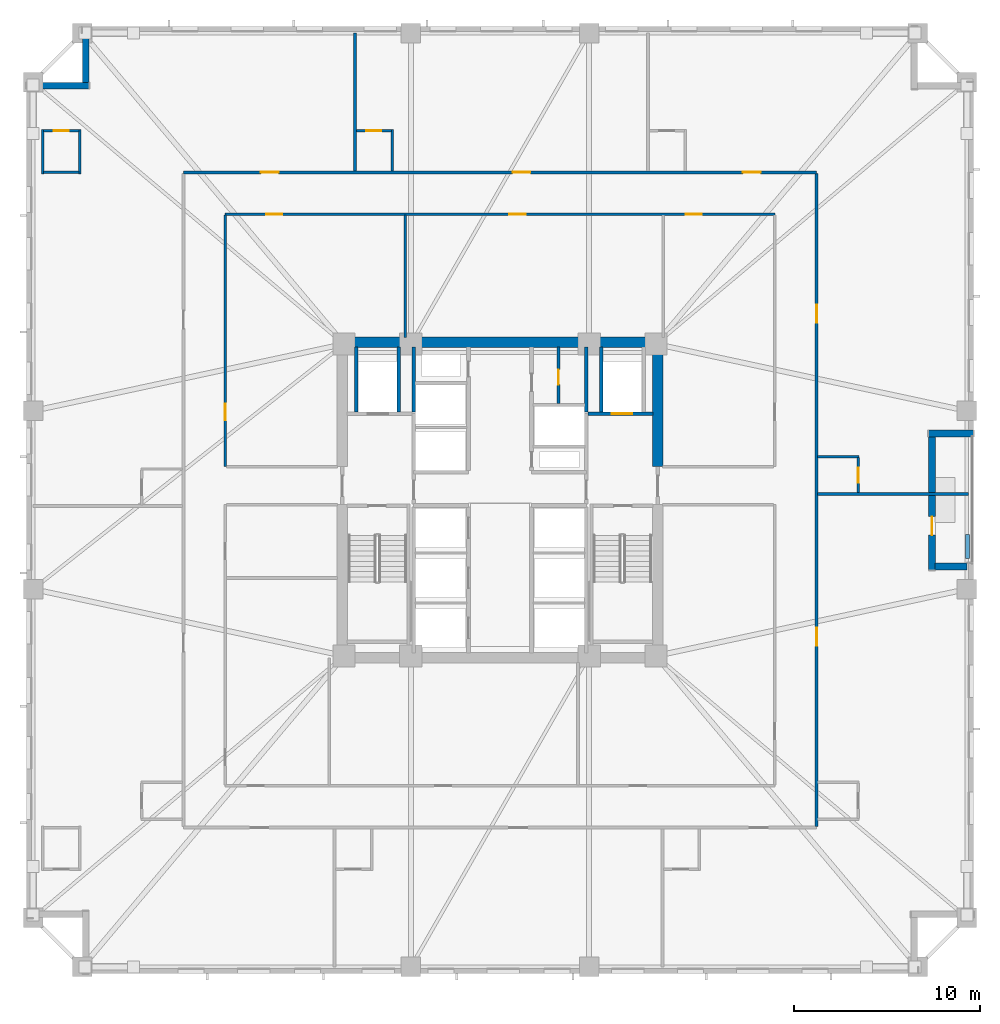
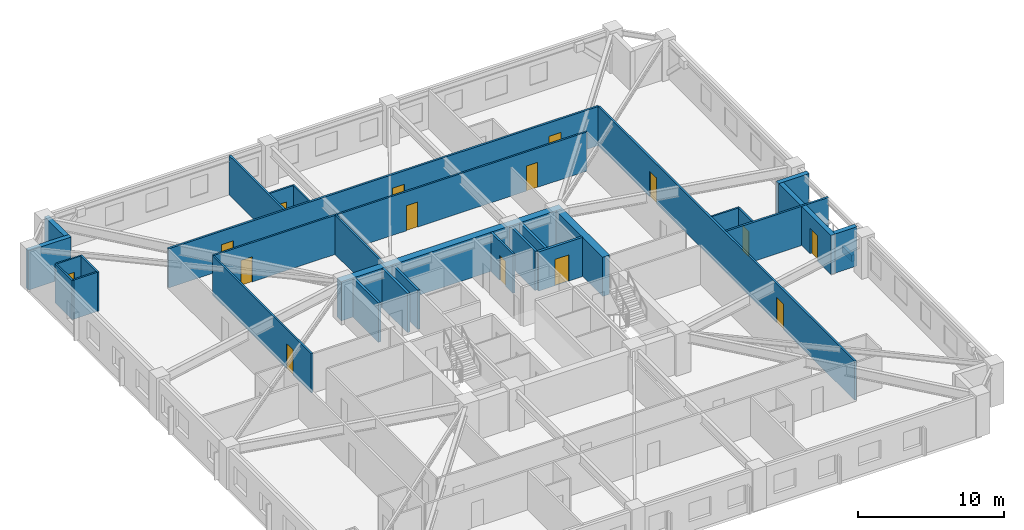
# One storey, part 5 of 11: 30 walls, 15 doors, 15 openings.
"""IFC4 building model written with IfcOpenShell, lengths in metres."""

import ifcopenshell
import ifcopenshell.guid

model = None  # the IFC model being written
_history = None  # IfcOwnerHistory: only IFC2X3 demands one
_inside = {}  # id of a spatial element -> (the spatial element, [elements in it])
_under = {}  # id of a project, library or spatial element -> (it, [spatial elements below it])
_declared = {}  # id of a project -> (the project, [libraries it declares])
_typed = {}  # id of a type object -> (the type object, [elements of that type])
_made_of = {}  # id of a material, layer set ... -> (it, [elements and type objects made of it])


def new_model(schema):
    """Start an empty IFC model of exactly this schema.

    Asked for "IFC4X3", IfcOpenShell would pick the latest addendum, in which some entities
    have other attributes; the version numbers below select the first issue.
    IFC2X3 requires an IfcOwnerHistory on every rooted entity: one is made here for all.
    """
    global model, _history
    if schema == "IFC4X3":
        model = ifcopenshell.file(schema_version=(4, 3, 0, 0))
    else:
        model = ifcopenshell.file(schema=schema)
    _inside.clear()
    _under.clear()
    _declared.clear()
    _typed.clear()
    _made_of.clear()
    _history = None
    if model.schema == "IFC2X3":
        org = make("IfcOrganization", Name="unknown")
        user = make(
            "IfcPersonAndOrganization",
            ThePerson=make("IfcPerson", FamilyName="unknown"),
            TheOrganization=org,
        )
        app = make(
            "IfcApplication",
            ApplicationDeveloper=org,
            Version="unknown",
            ApplicationFullName="unknown",
            ApplicationIdentifier="unknown",
        )
        _history = make(
            "IfcOwnerHistory",
            OwningUser=user,
            OwningApplication=app,
            ChangeAction="ADDED",
            CreationDate=0,
        )
    return model


def make(cls, **values):
    """One entity of the class cls with the attributes given. An attribute that is None is left unset."""
    return model.create_entity(
        cls, **{name: value for name, value in values.items() if value is not None}
    )


def rooted(cls, **values):
    """An entity with a GlobalId (a new one), such as an element, a storey or a relation."""
    return make(cls, GlobalId=ifcopenshell.guid.new(), OwnerHistory=_history, **values)


def si_unit(unit_type, name, prefix=None):
    """IfcSIUnit, for example si_unit("LENGTHUNIT", "METRE", prefix="MILLI")."""
    return make("IfcSIUnit", UnitType=unit_type, Prefix=prefix, Name=name)


def assignment(units):
    """IfcUnitAssignment: the units of a project."""
    return None if units is None else make("IfcUnitAssignment", Units=units)


def point(xyz):
    """IfcCartesianPoint."""
    return None if xyz is None else make("IfcCartesianPoint", Coordinates=xyz)


def direction(xyz):
    """IfcDirection."""
    return None if xyz is None else make("IfcDirection", DirectionRatios=xyz)


def frame(location, z_axis=None, x_axis=None):
    """IfcAxis2Placement3D, a coordinate frame: its origin and axes. An axis left out is left unset."""
    return make(
        "IfcAxis2Placement3D",
        Location=point(location),
        Axis=direction(z_axis),
        RefDirection=direction(x_axis),
    )


def frame_2d(location, x_axis=None):
    """IfcAxis2Placement2D, a coordinate frame in the plane: its origin and x axis."""
    return make(
        "IfcAxis2Placement2D", Location=point(location), RefDirection=direction(x_axis)
    )


def origin():
    """The frame at (0, 0, 0) with its axes left unset."""
    return frame((0.0, 0.0, 0.0))


def place(relative_to, where):
    """IfcLocalPlacement: puts the frame where relative to a parent placement (None: the world)."""
    return make(
        "IfcLocalPlacement", PlacementRelTo=relative_to, RelativePlacement=where
    )


def context(
    kind, dimensions, precision=None, world=None, true_north=None, identifier=None
):
    """IfcGeometricRepresentationContext, for example the 3D "Model" context."""
    return make(
        "IfcGeometricRepresentationContext",
        ContextIdentifier=identifier,
        ContextType=kind,
        CoordinateSpaceDimension=dimensions,
        Precision=precision,
        WorldCoordinateSystem=world,
        TrueNorth=true_north,
    )


def subcontext(parent, identifier, kind, view, scale=None):
    """IfcGeometricRepresentationSubContext, for example "Body" below "Model"."""
    return make(
        "IfcGeometricRepresentationSubContext",
        ContextIdentifier=identifier,
        ContextType=kind,
        ParentContext=parent,
        TargetScale=scale,
        TargetView=view,
    )


def project(units=None, contexts=None):
    """IfcProject with its units and contexts."""
    return rooted(
        "IfcProject",
        Name="project",
        RepresentationContexts=contexts,
        UnitsInContext=assignment(units),
    )


def spatial(cls, under=None, at=None, **own):
    """A site, building, storey or space (cls), placed at a placement, below another one or the project."""
    s = rooted(cls, ObjectPlacement=at, **own)
    if under is not None:
        _under.setdefault(under.id(), (under, []))[1].append(s)
    return s


def profile(cls, at=None, kind="AREA", **sizes):
    """A parametric profile (cls). Its sizes go by their IFC names, for example OverallWidth=200.0."""
    return make(cls, ProfileType=kind, Position=at, **sizes)


def rectangle(**sizes):
    """IfcRectangleProfileDef."""
    return profile("IfcRectangleProfileDef", **sizes)


def extrude(swept, where, along, depth):
    """IfcExtrudedAreaSolid: the profile swept, set in the frame where, extruded along a direction by depth."""
    return make(
        "IfcExtrudedAreaSolid",
        SweptArea=swept,
        Position=where,
        ExtrudedDirection=direction(along),
        Depth=depth,
    )


def shape(context_of_items, identifier, shape_type, items):
    """IfcShapeRepresentation: the items that make up one representation, for example the "Body"."""
    return make(
        "IfcShapeRepresentation",
        ContextOfItems=context_of_items,
        RepresentationIdentifier=identifier,
        RepresentationType=shape_type,
        Items=items,
    )


def material(Name=None, Category=None):
    """IfcMaterial."""
    return make("IfcMaterial", Name=Name, Category=Category)


def layer(
    of_material, thickness, ventilated=None, Name=None, Category=None, Priority=None
):
    """IfcMaterialLayer: one layer of a wall or slab, of a material (None: an air gap)."""
    return make(
        "IfcMaterialLayer",
        Material=of_material,
        LayerThickness=thickness,
        IsVentilated=ventilated,
        Name=Name,
        Category=Category,
        Priority=Priority,
    )


def layer_set(layers, Name=None):
    """IfcMaterialLayerSet."""
    return make("IfcMaterialLayerSet", MaterialLayers=layers, LayerSetName=Name)


def made_of(thing, what):
    """Note that an element or type object is made of a material, layer set ...; save() writes the relation."""
    if what is not None:
        _made_of.setdefault(what.id(), (what, []))[1].append(thing)
    return thing


def type_object(cls, material=None, **own):
    """A type object (cls), such as IfcWallType, which elements share."""
    return made_of(rooted(cls, **own), material)


def element(
    cls,
    number,
    at=None,
    inside=None,
    cuts=None,
    type_object=None,
    material=None,
    context=None,
    identifier="Body",
    shape_type=None,
    held_by="IfcProductDefinitionShape",
    body=None,
    shapes=None,
    **own,
):
    """One element of the class cls, such as IfcWall. Its Tag is "e" and its number.

    at: its placement. inside: the storey or other place that contains it. cuts: it is an
    opening in that element (IfcRelVoidsElement). A single representation is given by context,
    identifier, shape_type and body (its items); several are given by shapes. held_by: the class
    of the entity that holds the representations. save() writes the other relations.
    """
    e = rooted(cls, Tag="e%d" % number, ObjectPlacement=at, **own)
    if body is not None:
        shapes = [shape(context, identifier, shape_type, body)]
    if shapes is not None:
        e.Representation = make(held_by, Representations=shapes)
    if inside is not None:
        _inside.setdefault(inside.id(), (inside, []))[1].append(e)
    if cuts is not None:
        rooted(
            "IfcRelVoidsElement", RelatingBuildingElement=cuts, RelatedOpeningElement=e
        )
    if type_object is not None:
        _typed.setdefault(type_object.id(), (type_object, []))[1].append(e)
    return made_of(e, material)


def fill(opening, filler):
    """IfcRelFillsElement: the door or window that sits in an opening."""
    return rooted(
        "IfcRelFillsElement",
        RelatingOpeningElement=opening,
        RelatedBuildingElement=filler,
    )


def aggregate(whole, parts):
    """IfcRelAggregates: a whole, such as a stair, and the parts it consists of."""
    return rooted("IfcRelAggregates", RelatingObject=whole, RelatedObjects=parts)


def save(model, path):
    """Write the relations noted so far, then the file.

    IfcRelAggregates (storeys below a building ...), IfcRelContainedInSpatialStructure (elements
    in a storey), IfcRelDefinesByType, IfcRelAssociatesMaterial and IfcRelDeclares: one each for
    every whole, place, type object, material and project.
    """
    for whole, parts in _under.values():
        aggregate(whole, parts)
    for where, things in _inside.values():
        rooted(
            "IfcRelContainedInSpatialStructure",
            RelatedElements=things,
            RelatingStructure=where,
        )
    for kind, things in _typed.values():
        rooted("IfcRelDefinesByType", RelatedObjects=things, RelatingType=kind)
    for what, things in _made_of.values():
        rooted("IfcRelAssociatesMaterial", RelatedObjects=things, RelatingMaterial=what)
    for by, libraries in _declared.values():
        rooted("IfcRelDeclares", RelatingContext=by, RelatedDefinitions=libraries)
    model.write(path)


model = new_model("IFC4")

# Units and contexts
model_context = context("Model", 3, precision=1e-05, world=origin(), true_north=direction((0.0, 1.0)))
body_context = subcontext(model_context, "Body", "Model", "MODEL_VIEW")
ifc_project = project(units=[si_unit("LENGTHUNIT", "METRE"), si_unit("AREAUNIT", "SQUARE_METRE"), si_unit("VOLUMEUNIT", "CUBIC_METRE"), si_unit("PLANEANGLEUNIT", "RADIAN"), si_unit("MASSUNIT", "GRAM", prefix="KILO")], contexts=[model_context])

# Site, building, storey
site_placement = place(None, origin())
site = spatial("IfcSite", under=ifc_project, at=site_placement, CompositionType="ELEMENT")
building_placement = place(site_placement, origin())
building = spatial("IfcBuilding", under=site, at=building_placement, Name="Cairnveth Concourse Tower", CompositionType="ELEMENT")
storey_placement = place(building_placement, frame((0.0, 0.0, 69.0)))
storey = spatial("IfcBuildingStorey", under=building, at=storey_placement, Name="L18", CompositionType="ELEMENT", Elevation=69.0)

# Wall, opening, door
ifc_material_1 = material(Name="Gypsum Plasterboard Partition", Category="gypsum")
ifc_layer_1 = layer(ifc_material_1, 0.159912109375)
ifc_layer_set_1 = layer_set([ifc_layer_1], Name="Gypsum Plasterboard Partition")
wall_type_1 = type_object("IfcWallType", Name="ACOUSTIC PARTY WALL 180", PredefinedType="PARTITIONING", material=ifc_layer_set_1)
wall_1_placement = place(storey_placement, frame((55.14990234375, 44.195068359375, 0.0), z_axis=(0.0, 0.0, 1.0), x_axis=(0.0, 1.0, 0.0)))
wall_1 = element("IfcWall", 1, at=wall_1_placement, inside=storey, type_object=wall_type_1, Name="Interior Wall IW-L18-037", PredefinedType="PARTITIONING", context=body_context, shape_type="SweptSolid", body=[
    extrude(rectangle(XDim=3.044921875, YDim=0.159912109375, at=frame_2d((1.5224609375, 0.0))), origin(), (0.0, 0.0, 1.0), 3.280029296875),
])
opening_1_placement = place(wall_1_placement, frame((1.02490234375, 0.0, 0.0)))
opening_1 = element("IfcOpeningElement", 2, at=opening_1_placement, cuts=wall_1, Name="Opening ID23", PredefinedType="OPENING", context=body_context, shape_type="SweptSolid", body=[
    extrude(rectangle(XDim=0.800048828125, YDim=2.10009765625, at=frame_2d((0.39990234375, 1.050048828125))), frame((0.0, 0.08984375, 0.0), z_axis=(0.0, -1.0, 0.0), x_axis=(1.0, 0.0, 0.0)), (0.0, 0.0, 1.0), 0.179931640625),
])
ifc_material_2 = material(Name="Steel Grade 350", Category="steel")
door_type_1 = type_object("IfcDoorType", Name="CORE SERVICE DOOR 800X2100", OperationType="NOTDEFINED", PredefinedType="DOOR", material=ifc_material_2)
door_1_placement = place(opening_1_placement, origin())
door_1 = element("IfcDoor", 3, at=door_1_placement, inside=storey, type_object=door_type_1, Name="NE Linen Closet Door L18", OperationType="SINGLE_SWING_LEFT", OverallHeight=2.10009765625, OverallWidth=0.800048828125, PredefinedType="DOOR", context=body_context, shape_type="SweptSolid", body=[
    extrude(rectangle(XDim=0.800048828125, YDim=2.10009765625, at=frame_2d((0.39990234375, 1.050048828125))), frame((0.0, 0.02490234375, 0.0), z_axis=(0.0, -1.0, 0.0), x_axis=(1.0, 0.0, 0.0)), (0.0, 0.0, 1.0), 0.050048828125),
])
fill(opening_1, door_1)

# Wall, openings, doors
wall_2_placement = place(storey_placement, frame((34.949951171875, 56.64990234375, 0.0), z_axis=(0.0, 0.0, 1.0), x_axis=(1.0, 0.0, 0.0)))
wall_2 = element("IfcWall", 4, at=wall_2_placement, inside=storey, type_object=wall_type_1, Name="Interior Wall IW-L18-039", PredefinedType="PARTITIONING", context=body_context, shape_type="SweptSolid", body=[
    extrude(rectangle(XDim=34.10009765625, YDim=0.159912109375, at=frame_2d((17.050048828125, 0.0))), origin(), (0.0, 0.0, 1.0), 3.280029296875),
])
opening_2_placement = place(wall_2_placement, frame((4.166259765625, 0.0, 0.0)))
opening_2 = element("IfcOpeningElement", 5, at=opening_2_placement, cuts=wall_2, Name="Opening ID09", PredefinedType="OPENING", context=body_context, shape_type="SweptSolid", body=[
    extrude(rectangle(XDim=0.9599609375, YDim=2.14990234375, at=frame_2d((0.47998046875, 1.074951171875))), frame((0.0, 0.08984375, 0.0), z_axis=(0.0, -1.0, 0.0), x_axis=(1.0, 0.0, 0.0)), (0.0, 0.0, 1.0), 0.179931640625),
])
opening_3_placement = place(wall_2_placement, frame((17.72998046875, 0.0, 0.0)))
opening_3 = element("IfcOpeningElement", 6, at=opening_3_placement, cuts=wall_2, Name="Opening ID09", PredefinedType="OPENING", context=body_context, shape_type="SweptSolid", body=[
    extrude(rectangle(XDim=0.9599609375, YDim=2.14990234375, at=frame_2d((0.47998046875, 1.074951171875))), frame((0.0, 0.08984375, 0.0), z_axis=(0.0, -1.0, 0.0), x_axis=(1.0, 0.0, 0.0)), (0.0, 0.0, 1.0), 0.179931640625),
])
opening_4_placement = place(wall_2_placement, frame((30.1337890625, 0.0, 0.0)))
opening_4 = element("IfcOpeningElement", 7, at=opening_4_placement, cuts=wall_2, Name="Opening ID09", PredefinedType="OPENING", context=body_context, shape_type="SweptSolid", body=[
    extrude(rectangle(XDim=0.9599609375, YDim=2.14990234375, at=frame_2d((0.47998046875, 1.074951171875))), frame((0.0, 0.08984375, 0.0), z_axis=(0.0, -1.0, 0.0), x_axis=(1.0, 0.0, 0.0)), (0.0, 0.0, 1.0), 0.179931640625),
])
ifc_material_3 = material(Name="Solid Core Hardwood Timber Leaf", Category="wood")
door_type_2 = type_object("IfcDoorType", Name="HOTEL ENTRANCE DOOR 960X2150", OperationType="NOTDEFINED", PredefinedType="DOOR", material=ifc_material_3)
door_2_placement = place(opening_2_placement, origin())
door_2 = element("IfcDoor", 8, at=door_2_placement, inside=storey, type_object=door_type_2, Name="Hotel Room Door L18-N1", OperationType="SINGLE_SWING_RIGHT", OverallHeight=2.14990234375, OverallWidth=0.9599609375, PredefinedType="DOOR", context=body_context, shape_type="SweptSolid", body=[
    extrude(rectangle(XDim=0.9599609375, YDim=2.14990234375, at=frame_2d((0.47998046875, 1.074951171875))), frame((0.0, 0.02490234375, 0.0), z_axis=(0.0, -1.0, 0.0), x_axis=(1.0, 0.0, 0.0)), (0.0, 0.0, 1.0), 0.050048828125),
])
fill(opening_2, door_2)
door_3_placement = place(opening_3_placement, origin())
door_3 = element("IfcDoor", 9, at=door_3_placement, inside=storey, type_object=door_type_2, Name="Hotel Room Door L18-N2", OperationType="SINGLE_SWING_RIGHT", OverallHeight=2.14990234375, OverallWidth=0.9599609375, PredefinedType="DOOR", context=body_context, shape_type="SweptSolid", body=[
    extrude(rectangle(XDim=0.9599609375, YDim=2.14990234375, at=frame_2d((0.47998046875, 1.074951171875))), frame((0.0, 0.02490234375, 0.0), z_axis=(0.0, -1.0, 0.0), x_axis=(1.0, 0.0, 0.0)), (0.0, 0.0, 1.0), 0.050048828125),
])
fill(opening_3, door_3)
door_4_placement = place(opening_4_placement, origin())
door_4 = element("IfcDoor", 10, at=door_4_placement, inside=storey, type_object=door_type_2, Name="Hotel Room Door L18-N3", OperationType="SINGLE_SWING_RIGHT", OverallHeight=2.14990234375, OverallWidth=0.9599609375, PredefinedType="DOOR", context=body_context, shape_type="SweptSolid", body=[
    extrude(rectangle(XDim=0.9599609375, YDim=2.14990234375, at=frame_2d((0.47998046875, 1.074951171875))), frame((0.0, 0.02490234375, 0.0), z_axis=(0.0, -1.0, 0.0), x_axis=(1.0, 0.0, 0.0)), (0.0, 0.0, 1.0), 0.050048828125),
])
fill(opening_4, door_4)

wall_3_placement = place(storey_placement, frame((69.050048828125, 21.4150390625, 0.0), z_axis=(0.0, 0.0, 1.0), x_axis=(0.0, 1.0, 0.0)))
wall_3 = element("IfcWall", 11, at=wall_3_placement, inside=storey, type_object=wall_type_1, Name="Interior Wall IW-L18-041", PredefinedType="PARTITIONING", context=body_context, shape_type="SweptSolid", body=[
    extrude(rectangle(XDim=35.169921875, YDim=0.159912109375, at=frame_2d((17.5849609375, 0.0))), origin(), (0.0, 0.0, 1.0), 3.280029296875),
])
opening_5_placement = place(wall_3_placement, frame((9.74560546875, 0.0, 0.0)))
opening_5 = element("IfcOpeningElement", 12, at=opening_5_placement, cuts=wall_3, Name="Opening ID09", PredefinedType="OPENING", context=body_context, shape_type="SweptSolid", body=[
    extrude(rectangle(XDim=0.9599609375, YDim=2.14990234375, at=frame_2d((0.47998046875, 1.074951171875))), frame((0.0, 0.08984375, 0.0), z_axis=(0.0, -1.0, 0.0), x_axis=(1.0, 0.0, 0.0)), (0.0, 0.0, 1.0), 0.179931640625),
])
opening_6_placement = place(wall_3_placement, frame((27.145751953125, 0.0, 0.0)))
opening_6 = element("IfcOpeningElement", 13, at=opening_6_placement, cuts=wall_3, Name="Opening ID09", PredefinedType="OPENING", context=body_context, shape_type="SweptSolid", body=[
    extrude(rectangle(XDim=0.9599609375, YDim=2.14990234375, at=frame_2d((0.47998046875, 1.074951171875))), frame((0.0, 0.08984375, 0.0), z_axis=(0.0, -1.0, 0.0), x_axis=(1.0, 0.0, 0.0)), (0.0, 0.0, 1.0), 0.179931640625),
])
door_5_placement = place(opening_5_placement, origin())
door_5 = element("IfcDoor", 14, at=door_5_placement, inside=storey, type_object=door_type_2, Name="Hotel Room Door L18-E1", OperationType="SINGLE_SWING_RIGHT", OverallHeight=2.14990234375, OverallWidth=0.9599609375, PredefinedType="DOOR", context=body_context, shape_type="SweptSolid", body=[
    extrude(rectangle(XDim=0.9599609375, YDim=2.14990234375, at=frame_2d((0.47998046875, 1.074951171875))), frame((0.0, 0.02490234375, 0.0), z_axis=(0.0, -1.0, 0.0), x_axis=(1.0, 0.0, 0.0)), (0.0, 0.0, 1.0), 0.050048828125),
])
fill(opening_5, door_5)
door_6_placement = place(opening_6_placement, origin())
door_6 = element("IfcDoor", 15, at=door_6_placement, inside=storey, type_object=door_type_2, Name="Hotel Room Door L18-E2", OperationType="SINGLE_SWING_RIGHT", OverallHeight=2.14990234375, OverallWidth=0.9599609375, PredefinedType="DOOR", context=body_context, shape_type="SweptSolid", body=[
    extrude(rectangle(XDim=0.9599609375, YDim=2.14990234375, at=frame_2d((0.47998046875, 1.074951171875))), frame((0.0, 0.02490234375, 0.0), z_axis=(0.0, -1.0, 0.0), x_axis=(1.0, 0.0, 0.0)), (0.0, 0.0, 1.0), 0.050048828125),
])
fill(opening_6, door_6)

# Walls
wall_4_placement = place(storey_placement, frame((44.1923828125, 56.715087890625, 0.0), z_axis=(0.0, 0.0, 1.0), x_axis=(0.0, 1.0, 0.0)))
element("IfcWall", 16, at=wall_4_placement, inside=storey, type_object=wall_type_1, Name="Interior Wall IW-L18-071", PredefinedType="PARTITIONING", context=body_context, shape_type="SweptSolid", body=[
    extrude(rectangle(XDim=7.43994140625, YDim=0.159912109375, at=frame_2d((3.719970703125, 0.0))), origin(), (0.0, 0.0, 1.0), 3.280029296875),
])
wall_5_placement = place(storey_placement, frame((69.114990234375, 39.33154296875, 0.0), z_axis=(0.0, 0.0, 1.0), x_axis=(1.0, 0.0, 0.0)))
element("IfcWall", 17, at=wall_5_placement, inside=storey, type_object=wall_type_1, Name="Interior Wall IW-L18-086", PredefinedType="PARTITIONING", context=body_context, shape_type="SweptSolid", body=[
    extrude(rectangle(XDim=8.114990234375, YDim=0.159912109375, at=frame_2d((4.0576171875, 0.0))), origin(), (0.0, 0.0, 1.0), 3.280029296875),
])
ifc_material_4 = material(Name="Concrete N80 (80 MPa)", Category="concrete")
ifc_layer_2 = layer(ifc_material_4, 0.550048828125)
ifc_layer_set_2 = layer_set([ifc_layer_2], Name="Concrete N80 (80 MPa)")
wall_type_2 = type_object("IfcWallType", Name="CORE SHEAR WALL 550", PredefinedType="SHEAR", material=ifc_layer_set_2)
wall_6_placement = place(storey_placement, frame((43.22509765625, 47.5, 0.0), z_axis=(0.0, 0.0, 1.0), x_axis=(1.0, 0.0, 0.0)))
element("IfcWall", 18, at=wall_6_placement, inside=storey, type_object=wall_type_2, Name="Core North Shear Wall L18", PredefinedType="SHEAR", context=body_context, shape_type="SweptSolid", body=[
    extrude(rectangle(XDim=17.5498046875, YDim=0.550048828125, at=frame_2d((8.77490234375, 0.0))), origin(), (0.0, 0.0, 1.0), 3.280029296875),
])
wall_7_placement = place(storey_placement, frame((60.5, 40.800048828125, 0.0), z_axis=(0.0, 0.0, 1.0), x_axis=(0.0, 1.0, 0.0)))
element("IfcWall", 19, at=wall_7_placement, inside=storey, type_object=wall_type_2, Name="Core East Shear Wall N L18", PredefinedType="SHEAR", context=body_context, shape_type="SweptSolid", body=[
    extrude(rectangle(XDim=6.43505859375, YDim=0.550048828125, at=frame_2d((3.217529296875, 0.0))), origin(), (0.0, 0.0, 1.0), 3.280029296875),
])
ifc_material_5 = material(Name="Concrete N50 (50 MPa)", Category="concrete")
ifc_layer_3 = layer(ifc_material_5, 0.179931640625)
ifc_layer_set_3 = layer_set([ifc_layer_3], Name="Concrete N50 (50 MPa)")
wall_type_3 = type_object("IfcWallType", Name="FIRE SHAFT WALL 180", PredefinedType="SOLIDWALL", material=ifc_layer_set_3)
for number, where, z_axis, x_axis, name in (
    (20, (47.35009765625, 43.735107421875, 0.0), (0.0, 0.0, 1.0), (0.0, 1.0, 0.0), "Interior Wall IW-L18-031"),
    (21, (56.64990234375, 43.735107421875, 0.0), (0.0, 0.0, 1.0), (0.0, 1.0, 0.0), "Interior Wall IW-L18-034"),
):
    element("IfcWall", number, at=place(storey_placement, frame(where, z_axis=z_axis, x_axis=x_axis)), inside=storey, type_object=wall_type_3, Name=name, PredefinedType="SOLIDWALL", context=body_context, shape_type="SweptSolid", body=[
        extrude(rectangle(XDim=3.5048828125, YDim=0.179931640625, at=frame_2d((1.75244140625, 0.0))), origin(), (0.0, 0.0, 1.0), 3.280029296875),
    ])
ifc_layer_4 = layer(ifc_material_5, 0.199951171875)
ifc_layer_set_4 = layer_set([ifc_layer_4], Name="Concrete N50 (50 MPa)")
wall_type_4 = type_object("IfcWallType", Name="FIRE SHAFT WALL 200", PredefinedType="SOLIDWALL", material=ifc_layer_set_4)
for number, where, z_axis, x_axis, name in (
    (22, (46.550048828125, 43.735107421875, 0.0), (0.0, 0.0, 1.0), (0.0, 1.0, 0.0), "Interior Wall IW-L18-018"),
    (23, (44.25, 43.735107421875, 0.0), (0.0, 0.0, 1.0), (0.0, 1.0, 0.0), "Interior Wall IW-L18-019"),
):
    element("IfcWall", number, at=place(storey_placement, frame(where, z_axis=z_axis, x_axis=x_axis)), inside=storey, type_object=wall_type_4, Name=name, PredefinedType="SOLIDWALL", context=body_context, shape_type="SweptSolid", body=[
        extrude(rectangle(XDim=3.5048828125, YDim=0.199951171875, at=frame_2d((1.75244140625, 0.0))), origin(), (0.0, 0.0, 1.0), 3.280029296875),
    ])

# Wall, opening, door
wall_8_placement = place(storey_placement, frame((56.735107421875, 43.64990234375, 0.0), z_axis=(0.0, 0.0, 1.0), x_axis=(1.0, 0.0, 0.0)))
wall_8 = element("IfcWall", 24, at=wall_8_placement, inside=storey, type_object=wall_type_4, Name="Interior Wall IW-L18-022", PredefinedType="SOLIDWALL", context=body_context, shape_type="SweptSolid", body=[
    extrude(rectangle(XDim=3.5048828125, YDim=0.199951171875, at=frame_2d((1.75244140625, 0.0))), origin(), (0.0, 0.0, 1.0), 3.280029296875),
])
opening_7_placement = place(wall_8_placement, frame((1.294921875, 0.0, 0.0)))
opening_7 = element("IfcOpeningElement", 25, at=opening_7_placement, cuts=wall_8, Name="Opening LD-1", PredefinedType="OPENING", context=body_context, shape_type="SweptSolid", body=[
    extrude(rectangle(XDim=1.10009765625, YDim=2.199951171875, at=frame_2d((0.550048828125, 1.10009765625))), frame((0.0, 0.10986328125, 0.0), z_axis=(0.0, -1.0, 0.0), x_axis=(1.0, 0.0, 0.0)), (0.0, 0.0, 1.0), 0.219970703125),
])
ifc_material_6 = material(Name="Architectural Bronze Anodised Aluminium 6063-T6", Category="aluminium")
door_type_3 = type_object("IfcDoorType", Name="LIFT LANDING DOOR 1100X2200", OperationType="SLIDING_TO_LEFT", PredefinedType="DOOR", material=ifc_material_6)
door_7_placement = place(opening_7_placement, origin())
door_7 = element("IfcDoor", 26, at=door_7_placement, inside=storey, type_object=door_type_3, Name="Lift FFL2 Landing Door L18", OperationType="SLIDING_TO_LEFT", OverallHeight=2.199951171875, OverallWidth=1.10009765625, PredefinedType="DOOR", context=body_context, shape_type="SweptSolid", body=[
    extrude(rectangle(XDim=1.10009765625, YDim=2.199951171875, at=frame_2d((0.550048828125, 1.10009765625))), frame((0.0, 0.02490234375, 0.0), z_axis=(0.0, -1.0, 0.0), x_axis=(1.0, 0.0, 0.0)), (0.0, 0.0, 1.0), 0.050048828125),
])
fill(opening_7, door_7)

# Wall
wall_9_placement = place(storey_placement, frame((57.449951171875, 43.735107421875, 0.0), z_axis=(0.0, 0.0, 1.0), x_axis=(0.0, 1.0, 0.0)))
element("IfcWall", 27, at=wall_9_placement, inside=storey, type_object=wall_type_4, Name="Interior Wall IW-L18-023", PredefinedType="SOLIDWALL", context=body_context, shape_type="SweptSolid", body=[
    extrude(rectangle(XDim=3.5048828125, YDim=0.199951171875, at=frame_2d((1.75244140625, 0.0))), origin(), (0.0, 0.0, 1.0), 3.280029296875),
])

# Wall, openings, doors
ifc_layer_5 = layer(ifc_material_1, 0.139892578125)
ifc_layer_set_5 = layer_set([ifc_layer_5], Name="Gypsum Plasterboard Partition")
wall_type_5 = type_object("IfcWallType", Name="GYPSUM STUD PARTITION 140", PredefinedType="PARTITIONING", material=ifc_layer_set_5)
wall_10_placement = place(storey_placement, frame((37.199951171875, 54.39990234375, 0.0), z_axis=(0.0, 0.0, 1.0), x_axis=(1.0, 0.0, 0.0)))
wall_10 = element("IfcWall", 28, at=wall_10_placement, inside=storey, type_object=wall_type_5, Name="Interior Wall IW-L18-043", PredefinedType="PARTITIONING", context=body_context, shape_type="SweptSolid", body=[
    extrude(rectangle(XDim=29.60009765625, YDim=0.139892578125, at=frame_2d((14.800048828125, 0.0))), origin(), (0.0, 0.0, 1.0), 3.280029296875),
])
opening_8_placement = place(wall_10_placement, frame((2.199951171875, 0.0, 0.0)))
opening_8 = element("IfcOpeningElement", 29, at=opening_8_placement, cuts=wall_10, Name="Opening ID18", PredefinedType="OPENING", context=body_context, shape_type="SweptSolid", body=[
    extrude(rectangle(XDim=0.8798828125, YDim=2.10009765625, at=frame_2d((0.43994140625, 1.050048828125))), frame((0.0, 0.079833984375, 0.0), z_axis=(0.0, -1.0, 0.0), x_axis=(1.0, 0.0, 0.0)), (0.0, 0.0, 1.0), 0.159912109375),
])
opening_9_placement = place(wall_10_placement, frame((15.300048828125, 0.0, 0.0)))
opening_9 = element("IfcOpeningElement", 30, at=opening_9_placement, cuts=wall_10, Name="Opening ID18", PredefinedType="OPENING", context=body_context, shape_type="SweptSolid", body=[
    extrude(rectangle(XDim=0.8798828125, YDim=2.10009765625, at=frame_2d((0.43994140625, 1.050048828125))), frame((0.0, 0.079833984375, 0.0), z_axis=(0.0, -1.0, 0.0), x_axis=(1.0, 0.0, 0.0)), (0.0, 0.0, 1.0), 0.159912109375),
])
opening_10_placement = place(wall_10_placement, frame((24.800048828125, 0.0, 0.0)))
opening_10 = element("IfcOpeningElement", 31, at=opening_10_placement, cuts=wall_10, Name="Opening ID18", PredefinedType="OPENING", context=body_context, shape_type="SweptSolid", body=[
    extrude(rectangle(XDim=0.8798828125, YDim=2.10009765625, at=frame_2d((0.43994140625, 1.050048828125))), frame((0.0, 0.079833984375, 0.0), z_axis=(0.0, -1.0, 0.0), x_axis=(1.0, 0.0, 0.0)), (0.0, 0.0, 1.0), 0.159912109375),
])
door_type_4 = type_object("IfcDoorType", Name="INTERIOR SINGLE DOOR 880X2100", OperationType="NOTDEFINED", PredefinedType="DOOR", material=ifc_material_3)
door_8_placement = place(opening_8_placement, origin())
door_8 = element("IfcDoor", 32, at=door_8_placement, inside=storey, type_object=door_type_4, Name="Interior Door DR-L18-017", OperationType="SINGLE_SWING_LEFT", OverallHeight=2.10009765625, OverallWidth=0.8798828125, PredefinedType="DOOR", context=body_context, shape_type="SweptSolid", body=[
    extrude(rectangle(XDim=0.8798828125, YDim=2.10009765625, at=frame_2d((0.43994140625, 1.050048828125))), frame((0.0, 0.02490234375, 0.0), z_axis=(0.0, -1.0, 0.0), x_axis=(1.0, 0.0, 0.0)), (0.0, 0.0, 1.0), 0.050048828125),
])
fill(opening_8, door_8)
door_9_placement = place(opening_9_placement, origin())
door_9 = element("IfcDoor", 33, at=door_9_placement, inside=storey, type_object=door_type_4, Name="Interior Door DR-L18-018", OperationType="SINGLE_SWING_RIGHT", OverallHeight=2.10009765625, OverallWidth=0.8798828125, PredefinedType="DOOR", context=body_context, shape_type="SweptSolid", body=[
    extrude(rectangle(XDim=0.8798828125, YDim=2.10009765625, at=frame_2d((0.43994140625, 1.050048828125))), frame((0.0, 0.02490234375, 0.0), z_axis=(0.0, -1.0, 0.0), x_axis=(1.0, 0.0, 0.0)), (0.0, 0.0, 1.0), 0.050048828125),
])
fill(opening_9, door_9)
door_10_placement = place(opening_10_placement, origin())
door_10 = element("IfcDoor", 34, at=door_10_placement, inside=storey, type_object=door_type_4, Name="Interior Door DR-L18-019", OperationType="SINGLE_SWING_LEFT", OverallHeight=2.10009765625, OverallWidth=0.8798828125, PredefinedType="DOOR", context=body_context, shape_type="SweptSolid", body=[
    extrude(rectangle(XDim=0.8798828125, YDim=2.10009765625, at=frame_2d((0.43994140625, 1.050048828125))), frame((0.0, 0.02490234375, 0.0), z_axis=(0.0, -1.0, 0.0), x_axis=(1.0, 0.0, 0.0)), (0.0, 0.0, 1.0), 0.050048828125),
])
fill(opening_10, door_10)

# Wall, opening, door
wall_11_placement = place(storey_placement, frame((37.199951171875, 40.800048828125, 0.0), z_axis=(0.0, 0.0, 1.0), x_axis=(0.0, 1.0, 0.0)))
wall_11 = element("IfcWall", 35, at=wall_11_placement, inside=storey, type_object=wall_type_5, Name="Interior Wall IW-L18-045", PredefinedType="PARTITIONING", context=body_context, shape_type="SweptSolid", body=[
    extrude(rectangle(XDim=13.544921875, YDim=0.139892578125, at=frame_2d((6.7724609375, 0.0))), origin(), (0.0, 0.0, 1.0), 3.280029296875),
])
opening_11_placement = place(wall_11_placement, frame((2.5, 0.0, 0.0)))
opening_11 = element("IfcOpeningElement", 36, at=opening_11_placement, cuts=wall_11, Name="Opening ID18", PredefinedType="OPENING", context=body_context, shape_type="SweptSolid", body=[
    extrude(rectangle(XDim=0.8798828125, YDim=2.10009765625, at=frame_2d((0.43994140625, 1.050048828125))), frame((0.0, 0.079833984375, 0.0), z_axis=(0.0, -1.0, 0.0), x_axis=(1.0, 0.0, 0.0)), (0.0, 0.0, 1.0), 0.159912109375),
])
door_11_placement = place(opening_11_placement, origin())
door_11 = element("IfcDoor", 37, at=door_11_placement, inside=storey, type_object=door_type_4, Name="Interior Door DR-L18-022", OperationType="SINGLE_SWING_RIGHT", OverallHeight=2.10009765625, OverallWidth=0.8798828125, PredefinedType="DOOR", context=body_context, shape_type="SweptSolid", body=[
    extrude(rectangle(XDim=0.8798828125, YDim=2.10009765625, at=frame_2d((0.43994140625, 1.050048828125))), frame((0.0, 0.02490234375, 0.0), z_axis=(0.0, -1.0, 0.0), x_axis=(1.0, 0.0, 0.0)), (0.0, 0.0, 1.0), 0.050048828125),
])
fill(opening_11, door_11)

# Walls
wall_12_placement = place(storey_placement, frame((46.89990234375, 47.760009765625, 0.0), z_axis=(0.0, 0.0, 1.0), x_axis=(0.0, 1.0, 0.0)))
element("IfcWall", 38, at=wall_12_placement, inside=storey, type_object=wall_type_5, Name="Interior Wall IW-L18-054", PredefinedType="PARTITIONING", context=body_context, shape_type="SweptSolid", body=[
    extrude(rectangle(XDim=6.5849609375, YDim=0.139892578125, at=frame_2d((3.29248046875, 0.0))), origin(), (0.0, 0.0, 1.0), 3.280029296875),
])
ifc_material_7 = material(Name="Dressed Melbourne Bluestone Cladding", Category="masonry")
ifc_layer_6 = layer(ifc_material_7, 0.219970703125)
ifc_layer_set_6 = layer_set([ifc_layer_6], Name="Dressed Melbourne Bluestone Cladding")
wall_type_6 = type_object("IfcWallType", Name="TERRACE PLANTER CURB WALL 220", PredefinedType="PARAPET", material=ifc_layer_set_6)
wall_13_placement = place(storey_placement, frame((77.179931640625, 35.85009765625, 0.0), z_axis=(0.0, 0.0, 1.0), x_axis=(0.0, 1.0, 0.0)))
element("IfcWall", 39, at=wall_13_placement, inside=storey, type_object=wall_type_6, Name="Exterior Wall PLNT-L18-TERR", PredefinedType="PARAPET", context=body_context, shape_type="SweptSolid", body=[
    extrude(rectangle(XDim=1.2998046875, YDim=0.219970703125, at=frame_2d((0.64990234375, 0.0))), origin(), (0.0, 0.0, 1.0), 0.550048828125),
])
ifc_layer_7 = layer(ifc_material_1, 0.1298828125)
ifc_layer_set_7 = layer_set([ifc_layer_7], Name="Gypsum Plasterboard Partition")
wall_type_7 = type_object("IfcWallType", Name="WET AREA PARTITION 140", PredefinedType="PLUMBINGWALL", material=ifc_layer_set_7)
for number, where, z_axis, x_axis, name in (
    (40, (27.3701171875, 56.570068359375, 0.0), (0.0, 0.0, 1.0), (0.0, 1.0, 0.0), "Interior Wall IW-L18-067"),
    (41, (29.3701171875, 56.570068359375, 0.0), (0.0, 0.0, 1.0), (0.0, 1.0, 0.0), "Interior Wall IW-L18-068"),
):
    element("IfcWall", number, at=place(storey_placement, frame(where, z_axis=z_axis, x_axis=x_axis)), inside=storey, type_object=wall_type_7, Name=name, PredefinedType="PLUMBINGWALL", context=body_context, shape_type="SweptSolid", body=[
        extrude(rectangle(XDim=2.3798828125, YDim=0.1298828125, at=frame_2d((1.18994140625, 0.0))), origin(), (0.0, 0.0, 1.0), 3.280029296875),
    ])

# Wall, opening, door
wall_14_placement = place(storey_placement, frame((27.419921875, 58.89990234375, 0.0), z_axis=(0.0, 0.0, 1.0), x_axis=(1.0, 0.0, 0.0)))
wall_14 = element("IfcWall", 42, at=wall_14_placement, inside=storey, type_object=wall_type_7, Name="Interior Wall IW-L18-069", PredefinedType="PLUMBINGWALL", context=body_context, shape_type="SweptSolid", body=[
    extrude(rectangle(XDim=1.900146484375, YDim=0.1298828125, at=frame_2d((0.9501953125, 0.0))), origin(), (0.0, 0.0, 1.0), 3.280029296875),
])
opening_12_placement = place(wall_14_placement, frame((0.5400390625, 0.0, 0.0)))
opening_12 = element("IfcOpeningElement", 43, at=opening_12_placement, cuts=wall_14, Name="Opening ID22", PredefinedType="OPENING", context=body_context, shape_type="SweptSolid", body=[
    extrude(rectangle(XDim=0.820068359375, YDim=2.10009765625, at=frame_2d((0.41015625, 1.050048828125))), frame((0.0, 0.074951171875, 0.0), z_axis=(0.0, -1.0, 0.0), x_axis=(1.0, 0.0, 0.0)), (0.0, 0.0, 1.0), 0.14990234375),
])
door_type_5 = type_object("IfcDoorType", Name="INTERIOR WC DOOR 820X2100", OperationType="NOTDEFINED", PredefinedType="DOOR", material=ifc_material_3)
door_12_placement = place(opening_12_placement, origin())
door_12 = element("IfcDoor", 44, at=door_12_placement, inside=storey, type_object=door_type_5, Name="En-Suite Door L18-N1", OperationType="SINGLE_SWING_LEFT", OverallHeight=2.10009765625, OverallWidth=0.820068359375, PredefinedType="DOOR", context=body_context, shape_type="SweptSolid", body=[
    extrude(rectangle(XDim=0.820068359375, YDim=2.10009765625, at=frame_2d((0.41015625, 1.050048828125))), frame((0.0, 0.02490234375, 0.0), z_axis=(0.0, -1.0, 0.0), x_axis=(1.0, 0.0, 0.0)), (0.0, 0.0, 1.0), 0.050048828125),
])
fill(opening_12, door_12)

# Walls
wall_15_placement = place(storey_placement, frame((27.419921875, 56.64990234375, 0.0), z_axis=(0.0, 0.0, 1.0), x_axis=(1.0, 0.0, 0.0)))
element("IfcWall", 45, at=wall_15_placement, inside=storey, type_object=wall_type_7, Name="Interior Wall IW-L18-070", PredefinedType="PLUMBINGWALL", context=body_context, shape_type="SweptSolid", body=[
    extrude(rectangle(XDim=1.900146484375, YDim=0.1298828125, at=frame_2d((0.9501953125, 0.0))), origin(), (0.0, 0.0, 1.0), 3.280029296875),
])
wall_16_placement = place(storey_placement, frame((46.1923828125, 56.715087890625, 0.0), z_axis=(0.0, 0.0, 1.0), x_axis=(0.0, 1.0, 0.0)))
element("IfcWall", 46, at=wall_16_placement, inside=storey, type_object=wall_type_7, Name="Interior Wall IW-L18-072", PredefinedType="PLUMBINGWALL", context=body_context, shape_type="SweptSolid", body=[
    extrude(rectangle(XDim=2.23486328125, YDim=0.1298828125, at=frame_2d((1.117431640625, 0.0))), origin(), (0.0, 0.0, 1.0), 3.280029296875),
])

# Wall, opening, door
wall_17_placement = place(storey_placement, frame((44.257568359375, 58.89990234375, 0.0), z_axis=(0.0, 0.0, 1.0), x_axis=(1.0, 0.0, 0.0)))
wall_17 = element("IfcWall", 47, at=wall_17_placement, inside=storey, type_object=wall_type_7, Name="Interior Wall IW-L18-073", PredefinedType="PLUMBINGWALL", context=body_context, shape_type="SweptSolid", body=[
    extrude(rectangle(XDim=1.885009765625, YDim=0.1298828125, at=frame_2d((0.9423828125, 0.0))), origin(), (0.0, 0.0, 1.0), 3.280029296875),
])
opening_13_placement = place(wall_17_placement, frame((0.52490234375, 0.0, 0.0)))
opening_13 = element("IfcOpeningElement", 48, at=opening_13_placement, cuts=wall_17, Name="Opening ID22", PredefinedType="OPENING", context=body_context, shape_type="SweptSolid", body=[
    extrude(rectangle(XDim=0.820068359375, YDim=2.10009765625, at=frame_2d((0.41015625, 1.050048828125))), frame((0.0, 0.074951171875, 0.0), z_axis=(0.0, -1.0, 0.0), x_axis=(1.0, 0.0, 0.0)), (0.0, 0.0, 1.0), 0.14990234375),
])
door_13_placement = place(opening_13_placement, origin())
door_13 = element("IfcDoor", 49, at=door_13_placement, inside=storey, type_object=door_type_5, Name="En-Suite Door L18-N2", OperationType="SINGLE_SWING_LEFT", OverallHeight=2.10009765625, OverallWidth=0.820068359375, PredefinedType="DOOR", context=body_context, shape_type="SweptSolid", body=[
    extrude(rectangle(XDim=0.820068359375, YDim=2.10009765625, at=frame_2d((0.41015625, 1.050048828125))), frame((0.0, 0.02490234375, 0.0), z_axis=(0.0, -1.0, 0.0), x_axis=(1.0, 0.0, 0.0)), (0.0, 0.0, 1.0), 0.050048828125),
])
fill(opening_13, door_13)

# Wall
wall_18_placement = place(storey_placement, frame((69.114990234375, 41.33154296875, 0.0), z_axis=(0.0, 0.0, 1.0), x_axis=(1.0, 0.0, 0.0)))
element("IfcWall", 50, at=wall_18_placement, inside=storey, type_object=wall_type_7, Name="Interior Wall IW-L18-087", PredefinedType="PLUMBINGWALL", context=body_context, shape_type="SweptSolid", body=[
    extrude(rectangle(XDim=2.235107421875, YDim=0.1298828125, at=frame_2d((1.11767578125, 0.0))), origin(), (0.0, 0.0, 1.0), 3.280029296875),
])

# Wall, opening, door
wall_19_placement = place(storey_placement, frame((71.300048828125, 39.396484375, 0.0), z_axis=(0.0, 0.0, 1.0), x_axis=(0.0, 1.0, 0.0)))
wall_19 = element("IfcWall", 51, at=wall_19_placement, inside=storey, type_object=wall_type_7, Name="Interior Wall IW-L18-088", PredefinedType="PLUMBINGWALL", context=body_context, shape_type="SweptSolid", body=[
    extrude(rectangle(XDim=1.885009765625, YDim=0.1298828125, at=frame_2d((0.9423828125, 0.0))), origin(), (0.0, 0.0, 1.0), 3.280029296875),
])
opening_14_placement = place(wall_19_placement, frame((0.52490234375, 0.0, 0.0)))
opening_14 = element("IfcOpeningElement", 52, at=opening_14_placement, cuts=wall_19, Name="Opening ID22", PredefinedType="OPENING", context=body_context, shape_type="SweptSolid", body=[
    extrude(rectangle(XDim=0.820068359375, YDim=2.10009765625, at=frame_2d((0.41015625, 1.050048828125))), frame((0.0, 0.074951171875, 0.0), z_axis=(0.0, -1.0, 0.0), x_axis=(1.0, 0.0, 0.0)), (0.0, 0.0, 1.0), 0.14990234375),
])
door_14_placement = place(opening_14_placement, origin())
door_14 = element("IfcDoor", 53, at=door_14_placement, inside=storey, type_object=door_type_5, Name="En-Suite Door L18-E2", OperationType="SINGLE_SWING_LEFT", OverallHeight=2.10009765625, OverallWidth=0.820068359375, PredefinedType="DOOR", context=body_context, shape_type="SweptSolid", body=[
    extrude(rectangle(XDim=0.820068359375, YDim=2.10009765625, at=frame_2d((0.41015625, 1.050048828125))), frame((0.0, 0.02490234375, 0.0), z_axis=(0.0, -1.0, 0.0), x_axis=(1.0, 0.0, 0.0)), (0.0, 0.0, 1.0), 0.050048828125),
])
fill(opening_14, door_14)

# Walls
ifc_material_8 = material(Name="Hawthorn Red-Ochre Fired Clay Brick Masonry", Category="masonry")
ifc_layer_8 = layer(ifc_material_8, 0.360107421875)
ifc_layer_set_8 = layer_set([ifc_layer_8], Name="Hawthorn Red-Ochre Fired Clay Brick Masonry")
wall_type_8 = type_object("IfcWallType", Name="ZONE 1 BRICK PIER SPANDREL WALL 360", PredefinedType="SOLIDWALL", material=ifc_layer_set_8)
wall_20_placement = place(storey_placement, frame((26.5, 61.320068359375, 0.0), z_axis=(0.0, 0.0, 1.0), x_axis=(1.0, 0.0, 0.0)))
element("IfcWall", 54, at=wall_20_placement, inside=storey, type_object=wall_type_8, Name="Exterior Wall EW-L18-S07", PredefinedType="SOLIDWALL", context=body_context, shape_type="SweptSolid", body=[
    extrude(rectangle(XDim=3.360107421875, YDim=0.360107421875, at=frame_2d((1.68017578125, 0.0))), origin(), (0.0, 0.0, 1.0), 3.280029296875),
])
wall_21_placement = place(storey_placement, frame((29.679931640625, 61.47802734375, 0.0), z_axis=(0.0, 0.0, 1.0), x_axis=(0.0, 1.0, 0.0)))
element("IfcWall", 55, at=wall_21_placement, inside=storey, type_object=wall_type_8, Name="Exterior Wall EW-L18-S08", PredefinedType="SOLIDWALL", context=body_context, shape_type="SweptSolid", body=[
    extrude(rectangle(XDim=2.68408203125, YDim=0.360107421875, at=frame_2d((1.342041015625, 0.0))), origin(), (0.0, 0.0, 1.0), 3.280029296875),
])
wall_22_placement = place(storey_placement, frame((77.5, 42.580078125, 0.0), z_axis=(0.0, 0.0, 1.0), x_axis=(-1.0, 0.0, 0.0)))
element("IfcWall", 56, at=wall_22_placement, inside=storey, type_object=wall_type_8, Name="Exterior Wall EW-L18-S13", PredefinedType="SOLIDWALL", context=body_context, shape_type="SweptSolid", body=[
    extrude(rectangle(XDim=2.409912109375, YDim=0.360107421875, at=frame_2d((1.205078125, 0.0))), origin(), (0.0, 0.0, 1.0), 3.280029296875),
])

# Wall, opening, door
wall_23_placement = place(storey_placement, frame((75.27001953125, 42.422119140625, 0.0), z_axis=(0.0, 0.0, 1.0), x_axis=(0.0, -1.0, 0.0)))
wall_23 = element("IfcWall", 57, at=wall_23_placement, inside=storey, type_object=wall_type_8, Name="Exterior Wall EW-L18-S14", PredefinedType="SOLIDWALL", context=body_context, shape_type="SweptSolid", body=[
    extrude(rectangle(XDim=7.18212890625, YDim=0.360107421875, at=frame_2d((3.591064453125, 0.0))), origin(), (0.0, 0.0, 1.0), 3.280029296875),
])
opening_15_placement = place(wall_23_placement, frame((4.311279296875, 0.0, 0.0)))
opening_15 = element("IfcOpeningElement", 58, at=opening_15_placement, cuts=wall_23, Name="Opening ED4", PredefinedType="OPENING", context=body_context, shape_type="SweptSolid", body=[
    extrude(rectangle(XDim=1.0, YDim=2.14990234375, at=frame_2d((0.5, 1.074951171875))), frame((0.0, 0.18994140625, 0.0), z_axis=(0.0, -1.0, 0.0), x_axis=(1.0, 0.0, 0.0)), (0.0, 0.0, 1.0), 0.380126953125),
])
door_type_6 = type_object("IfcDoorType", Name="TERRACE GLAZED DOOR 1000X2150", OperationType="NOTDEFINED", PredefinedType="DOOR", material=ifc_material_6)
door_15_placement = place(opening_15_placement, origin())
door_15 = element("IfcDoor", 59, at=door_15_placement, inside=storey, type_object=door_type_6, Name="Spiral Terrace Door L18", OperationType="SINGLE_SWING_LEFT", OverallHeight=2.14990234375, OverallWidth=1.0, PredefinedType="DOOR", context=body_context, shape_type="SweptSolid", body=[
    extrude(rectangle(XDim=1.0, YDim=2.14990234375, at=frame_2d((0.5, 1.074951171875))), frame((0.0, 0.02490234375, 0.0), z_axis=(0.0, -1.0, 0.0), x_axis=(1.0, 0.0, 0.0)), (0.0, 0.0, 1.0), 0.050048828125),
])
fill(opening_15, door_15)

# Wall
wall_24_placement = place(storey_placement, frame((75.427978515625, 35.419921875, 0.0), z_axis=(0.0, 0.0, 1.0), x_axis=(1.0, 0.0, 0.0)))
element("IfcWall", 60, at=wall_24_placement, inside=storey, type_object=wall_type_8, Name="Exterior Wall EW-L18-S15", PredefinedType="SOLIDWALL", context=body_context, shape_type="SweptSolid", body=[
    extrude(rectangle(XDim=1.734130859375, YDim=0.360107421875, at=frame_2d((0.8671875, 0.0))), origin(), (0.0, 0.0, 1.0), 3.280029296875),
])

save(model, "model.ifc")
